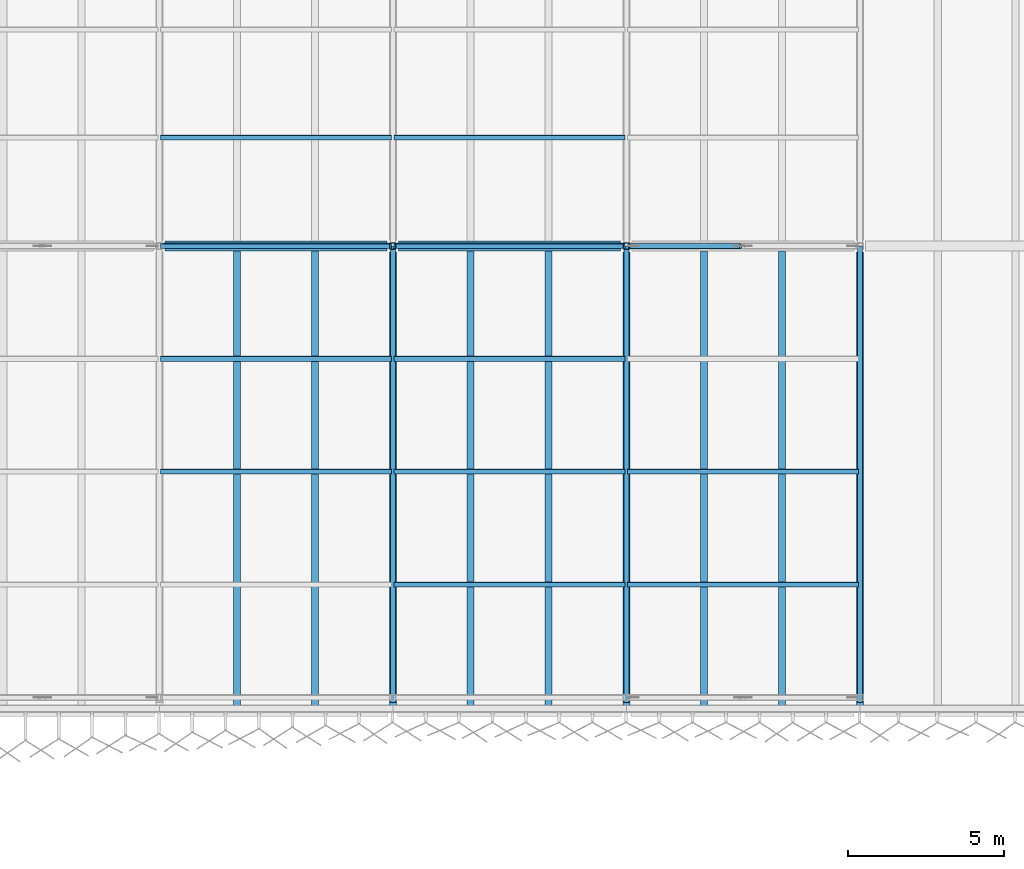
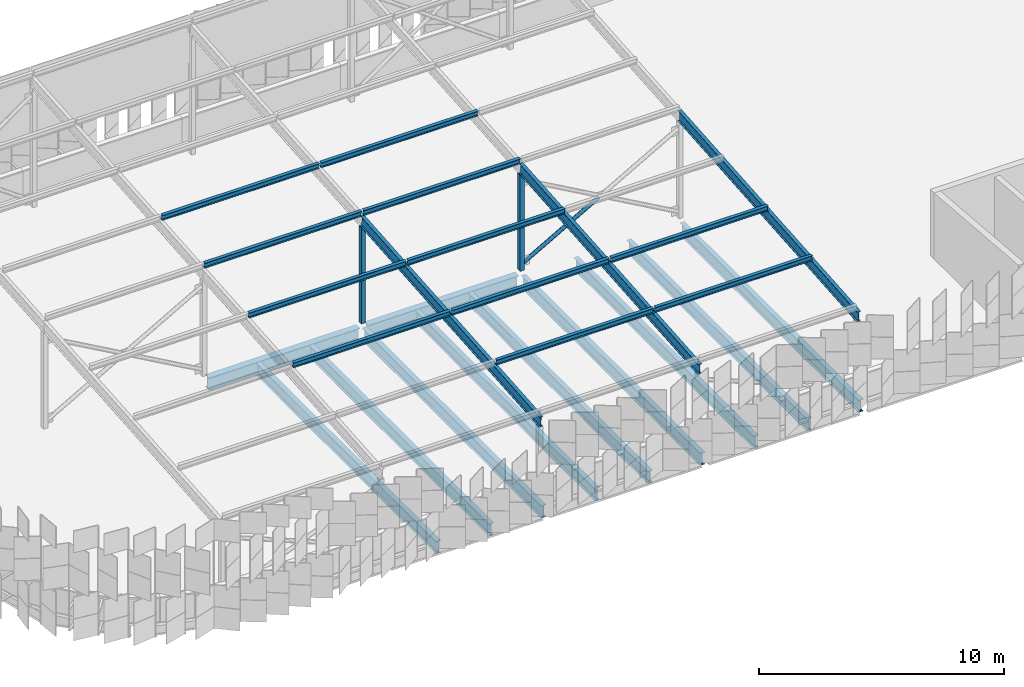
# One storey, part 43 of 483: 17 members, 11 beams.
"""IFC4 building model written with IfcOpenShell, lengths in metres."""

from ifc_helpers import new_model, si_unit, direction, frame, origin, origin_2d, place, context, subcontext, project, spatial, hollow_rectangle, hollow_circle, i_section, extrude, material, material_profile, profile_set, type_object, element, save


model = new_model("IFC4")

# Units and contexts
model_context = context("Model", 3, precision=1e-05, world=origin(), true_north=direction((0.0, 1.0)))
body_context = subcontext(model_context, "Body", "Model", "MODEL_VIEW")
ifc_project = project(units=[si_unit("LENGTHUNIT", "METRE"), si_unit("AREAUNIT", "SQUARE_METRE"), si_unit("VOLUMEUNIT", "CUBIC_METRE"), si_unit("PLANEANGLEUNIT", "RADIAN"), si_unit("MASSUNIT", "GRAM", prefix="KILO")], contexts=[model_context])

# Site, building, storey
site_placement = place(None, origin())
site = spatial("IfcSite", under=ifc_project, at=site_placement, CompositionType="ELEMENT")
building_placement = place(site_placement, origin())
building = spatial("IfcBuilding", under=site, at=building_placement, Name="Parallax Yard Mobility Hub", CompositionType="ELEMENT")
storey_placement = place(building_placement, frame((0.0, 0.0, 13.199951171875)))
storey = spatial("IfcBuildingStorey", under=building, at=storey_placement, Name="L04", CompositionType="ELEMENT", Elevation=13.199951171875)

# Members
ifc_material_1 = material(Name="Steel ASTM A500 Gr C", Category="steel")
ifc_material_profile_1 = material_profile(ifc_material_1, hollow_circle(Radius=0.0888671875, WallThickness=0.0078125, at=origin_2d()), Name="HSS177.8x7.9")
ifc_profile_set_1 = profile_set([ifc_material_profile_1], Name="Steel ASTM A500 Gr C")
member_type_1 = type_object("IfcMemberType", Name="Canopy brace HSS177.8x7.9", PredefinedType="BRACE", material=ifc_profile_set_1)
member_placement = place(storey_placement, frame((52.586669921875, 127.5, 0.300048828125), z_axis=(0.870112904421, 0.0, 0.492852446032), x_axis=(0.0, 1.0, 0.0)))
element("IfcMember", 1, at=member_placement, inside=storey, type_object=member_type_1, Name="Canopy X brace RB bay N-A bay 4 diagonal A part 1", PredefinedType="BRACE", context=body_context, shape_type="SweptSolid", body=[
    extrude(hollow_circle(Radius=0.0888671875, WallThickness=0.0078125, at=origin_2d()), origin(), (0.0, 0.0, 1.0), 4.116455078125),
])
ifc_material_profile_2 = material_profile(ifc_material_1, hollow_rectangle(XDim=0.203125, YDim=0.203125, WallThickness=0.009521484375, at=origin_2d()), Name="HSS203x203x9.5")
ifc_profile_set_2 = profile_set([ifc_material_profile_2], Name="Steel ASTM A500 Gr C")
member_type_2 = type_object("IfcMemberType", Name="Canopy post HSS203x203x9.5", PredefinedType="POST", material=ifc_profile_set_2)
for number, where, z_axis, x_axis, name in (
    (2, (45.0, 127.5, 0.0), (0.0, 0.0, 1.0), (1.0, 0.0, 0.0), "Canopy post RB/N-A3"),
    (3, (52.5, 127.5, 0.0), (0.0, 0.0, 1.0), (1.0, 0.0, 0.0), "Canopy post RB/N-A4"),
):
    element("IfcMember", number, at=place(storey_placement, frame(where, z_axis=z_axis, x_axis=x_axis)), inside=storey, type_object=member_type_2, Name=name, PredefinedType="POST", context=body_context, shape_type="SweptSolid", body=[
        extrude(hollow_rectangle(XDim=0.203125, YDim=0.203125, WallThickness=0.009521484375, at=origin_2d()), origin(), (0.0, 0.0, 1.0), 4.81005859375),
    ])
ifc_material_2 = material(Name="Steel ASTM A992", Category="steel")
ifc_material_profile_3 = material_profile(ifc_material_2, i_section(OverallWidth=0.14794921875, OverallDepth=0.26611328125, WebThickness=0.007568359375, FlangeThickness=0.012939453125, at=origin_2d()), Name="W250x45")
ifc_profile_set_3 = profile_set([ifc_material_profile_3], Name="Steel ASTM A992")
member_type_3 = type_object("IfcMemberType", Name="Canopy purlin W250x45", PredefinedType="PURLIN", material=ifc_profile_set_3)
for number, where, z_axis, x_axis, name in (
    (4, (37.5400390625, 120.260498046875, 4.882080078125), (1.0, 0.0, 0.0), (0.0, 0.996815308126, 0.079744852409), "Canopy purlin sector N-A bay 2 line 3"),
    (5, (37.5400390625, 123.885498046875, 5.172119140625), (1.0, 0.0, 0.0), (0.0, 0.996815308126, 0.079744852409), "Canopy purlin sector N-A bay 2 line 4"),
    (6, (37.5400390625, 127.510498046875, 5.462158203125), (1.0, 0.0, 0.0), (0.0, 0.996815308126, 0.079744852409), "Canopy purlin sector N-A bay 2 line 5"),
    (7, (37.5400390625, 130.985595703125, 5.739990234375), (1.0, 0.0, 0.0), (0.0, 0.996815308126, 0.079744852409), "Canopy purlin sector N-A bay 2 line 6"),
    (8, (45.0400390625, 116.635498046875, 4.592041015625), (1.0, 0.0, 0.0), (0.0, 0.996815308126, 0.079744852409), "Canopy purlin sector N-A bay 3 line 2"),
    (9, (45.0400390625, 120.260498046875, 4.882080078125), (1.0, 0.0, 0.0), (0.0, 0.996815308126, 0.079744852409), "Canopy purlin sector N-A bay 3 line 3"),
    (10, (45.0400390625, 123.885498046875, 5.172119140625), (1.0, 0.0, 0.0), (0.0, 0.996815308126, 0.079744852409), "Canopy purlin sector N-A bay 3 line 4"),
    (11, (45.0400390625, 127.510498046875, 5.462158203125), (1.0, 0.0, 0.0), (0.0, 0.996815308126, 0.079744852409), "Canopy purlin sector N-A bay 3 line 5"),
    (12, (45.0400390625, 130.985595703125, 5.739990234375), (1.0, 0.0, 0.0), (0.0, 0.996815308126, 0.079744852409), "Canopy purlin sector N-A bay 3 line 6"),
    (13, (52.5400390625, 116.635498046875, 4.592041015625), (1.0, 0.0, 0.0), (0.0, 0.996815308126, 0.079744852409), "Canopy purlin sector N-A bay 4 line 2"),
    (14, (52.5400390625, 120.260498046875, 4.882080078125), (1.0, 0.0, 0.0), (0.0, 0.996815308126, 0.079744852409), "Canopy purlin sector N-A bay 4 line 3"),
):
    element("IfcMember", number, at=place(storey_placement, frame(where, z_axis=z_axis, x_axis=x_axis)), inside=storey, type_object=member_type_3, Name=name, PredefinedType="PURLIN", context=body_context, shape_type="SweptSolid", body=[
        extrude(i_section(OverallWidth=0.14794921875, OverallDepth=0.26611328125, WebThickness=0.007568359375, FlangeThickness=0.012939453125, at=origin_2d()), origin(), (0.0, 0.0, 1.0), 7.419921875),
    ])
ifc_material_profile_4 = material_profile(ifc_material_2, i_section(OverallWidth=0.166015625, OverallDepth=0.529052734375, WebThickness=0.009765625, FlangeThickness=0.013671875, at=origin_2d()), Name="W530x74")
ifc_profile_set_4 = profile_set([ifc_material_profile_4], Name="Steel ASTM A992")
member_type_4 = type_object("IfcMemberType", Name="Canopy rafter W530x74", PredefinedType="RAFTER", material=ifc_profile_set_4)
for number, where, z_axis, x_axis, name in (
    (15, (45.0, 112.87109375, 3.89501953125), (0.0, 0.996814591838, 0.079753805543), (-1.0, 0.0, 0.0), "Canopy rafter N-A3 inner span"),
    (16, (52.5, 112.87109375, 3.89501953125), (0.0, 0.996814591838, 0.079753805543), (-1.0, 0.0, 0.0), "Canopy rafter N-A4 inner span"),
    (17, (60.0, 112.87109375, 3.89501953125), (0.0, 0.996814591838, 0.079753805543), (-1.0, 0.0, 0.0), "Canopy rafter N-A5 inner span"),
):
    element("IfcMember", number, at=place(storey_placement, frame(where, z_axis=z_axis, x_axis=x_axis)), inside=storey, type_object=member_type_4, Name=name, PredefinedType="RAFTER", context=body_context, shape_type="SweptSolid", body=[
        extrude(i_section(OverallWidth=0.166015625, OverallDepth=0.529052734375, WebThickness=0.009765625, FlangeThickness=0.013671875, at=origin_2d()), origin(), (0.0, 0.0, 1.0), 14.69677734375),
    ])

# Beams
ifc_material_profile_5 = material_profile(ifc_material_2, i_section(OverallWidth=0.22802734375, OverallDepth=0.60205078125, WebThickness=0.010498046875, FlangeThickness=0.014892578125, FilletRadius=0.0126953125, at=origin_2d()), Name="W610x101")
ifc_profile_set_5 = profile_set([ifc_material_profile_5], Name="Steel ASTM A992")
beam_type_1 = type_object("IfcBeamType", Name="W610x101 secondary beam", PredefinedType="JOIST", material=ifc_profile_set_5)
for number, where, z_axis, x_axis, name in (
    (18, (40.0, 112.6044921875, -0.44091796875), (0.0, 1.0, 0.0), (-1.0, 0.0, 0.0), "Secondary beam B3 level L04, 2.5 m east of line 6 of ramped parking decks, span 1"),
    (19, (47.5, 112.6044921875, -0.44091796875), (0.0, 1.0, 0.0), (-1.0, 0.0, 0.0), "Secondary beam B3 level L04, 2.5 m east of line 7 of ramped parking decks, span 1"),
    (20, (55.0, 112.6044921875, -0.44091796875), (0.0, 1.0, 0.0), (-1.0, 0.0, 0.0), "Secondary beam B3 level L04, 2.5 m east of line 8 of ramped parking decks, span 1"),
    (21, (42.5, 112.6044921875, -0.44091796875), (0.0, 1.0, 0.0), (-1.0, 0.0, 0.0), "Secondary beam B3 level L04, 5 m east of line 6 of ramped parking decks, span 1"),
    (22, (50.0, 112.6044921875, -0.44091796875), (0.0, 1.0, 0.0), (-1.0, 0.0, 0.0), "Secondary beam B3 level L04, 5 m east of line 7 of ramped parking decks, span 1"),
    (23, (57.5, 112.6044921875, -0.44091796875), (0.0, 1.0, 0.0), (-1.0, 0.0, 0.0), "Secondary beam B3 level L04, 5 m east of line 8 of ramped parking decks, span 1"),
):
    element("IfcBeam", number, at=place(storey_placement, frame(where, z_axis=z_axis, x_axis=x_axis)), inside=storey, type_object=beam_type_1, Name=name, PredefinedType="JOIST", context=body_context, shape_type="SweptSolid", body=[
        extrude(i_section(OverallWidth=0.22802734375, OverallDepth=0.60205078125, WebThickness=0.010498046875, FlangeThickness=0.014892578125, FilletRadius=0.0126953125, at=origin_2d()), origin(), (0.0, 0.0, 1.0), 14.73291015625),
    ])
ifc_material_profile_6 = material_profile(ifc_material_2, i_section(OverallWidth=0.22900390625, OverallDepth=0.612060546875, WebThickness=0.011962890625, FlangeThickness=0.01953125, FilletRadius=0.0126953125, at=origin_2d()), Name="W610x125")
ifc_profile_set_6 = profile_set([ifc_material_profile_6], Name="Steel ASTM A992")
beam_type_2 = type_object("IfcBeamType", Name="W610x125 girder", PredefinedType="BEAM", material=ifc_profile_set_6)
for number, where, z_axis, x_axis, name in (
    (24, (45.0, 112.653564453125, -0.446044921875), (0.0, 1.0, 0.0), (-1.0, 0.0, 0.0), "Girder G3 level L04, line 7 of ramped parking decks, span 1"),
    (25, (52.5, 112.653564453125, -0.446044921875), (0.0, 1.0, 0.0), (-1.0, 0.0, 0.0), "Girder G3 level L04, line 8 of ramped parking decks, span 1"),
):
    element("IfcBeam", number, at=place(storey_placement, frame(where, z_axis=z_axis, x_axis=x_axis)), inside=storey, type_object=beam_type_2, Name=name, PredefinedType="BEAM", context=body_context, shape_type="SweptSolid", body=[
        extrude(i_section(OverallWidth=0.22900390625, OverallDepth=0.612060546875, WebThickness=0.011962890625, FlangeThickness=0.01953125, FilletRadius=0.0126953125, at=origin_2d()), origin(), (0.0, 0.0, 1.0), 14.662353515625),
    ])
beam_placement = place(storey_placement, frame((60.0, 112.68408203125, -0.446044921875), z_axis=(0.0, 1.0, 0.0), x_axis=(-1.0, 0.0, 0.0)))
element("IfcBeam", 26, at=beam_placement, inside=storey, type_object=beam_type_2, Name="Girder G3 level L04, line 9 of ramped parking decks, span 1", PredefinedType="BEAM", context=body_context, shape_type="SweptSolid", body=[
    extrude(i_section(OverallWidth=0.22900390625, OverallDepth=0.612060546875, WebThickness=0.011962890625, FlangeThickness=0.01953125, FilletRadius=0.0126953125, at=origin_2d()), origin(), (0.0, 0.0, 1.0), 14.6318359375),
])
ifc_material_profile_7 = material_profile(ifc_material_2, i_section(OverallWidth=0.324951171875, OverallDepth=0.612060546875, WebThickness=0.0126953125, FlangeThickness=0.01904296875, FilletRadius=0.0126953125, at=origin_2d()), Name="W610x155")
ifc_profile_set_7 = profile_set([ifc_material_profile_7], Name="Steel ASTM A992")
beam_type_3 = type_object("IfcBeamType", Name="W610x155 longitudinal beam", PredefinedType="BEAM", material=ifc_profile_set_7)
for number, where, z_axis, x_axis, name in (
    (27, (37.6865234375, 127.5, -0.446044921875), (1.0, 0.0, 0.0), (0.0, 1.0, 0.0), "Longitudinal beam SB8 level L04, line T of ramped parking decks, span 2"),
    (28, (45.1865234375, 127.5, -0.446044921875), (1.0, 0.0, 0.0), (0.0, 1.0, 0.0), "Longitudinal beam SB8 level L04, line T of ramped parking decks, span 3"),
):
    element("IfcBeam", number, at=place(storey_placement, frame(where, z_axis=z_axis, x_axis=x_axis)), inside=storey, type_object=beam_type_3, Name=name, PredefinedType="BEAM", context=body_context, shape_type="SweptSolid", body=[
        extrude(i_section(OverallWidth=0.324951171875, OverallDepth=0.612060546875, WebThickness=0.0126953125, FlangeThickness=0.01904296875, FilletRadius=0.0126953125, at=origin_2d()), origin(), (0.0, 0.0, 1.0), 7.126953125),
    ])

save(model, "model.ifc")
